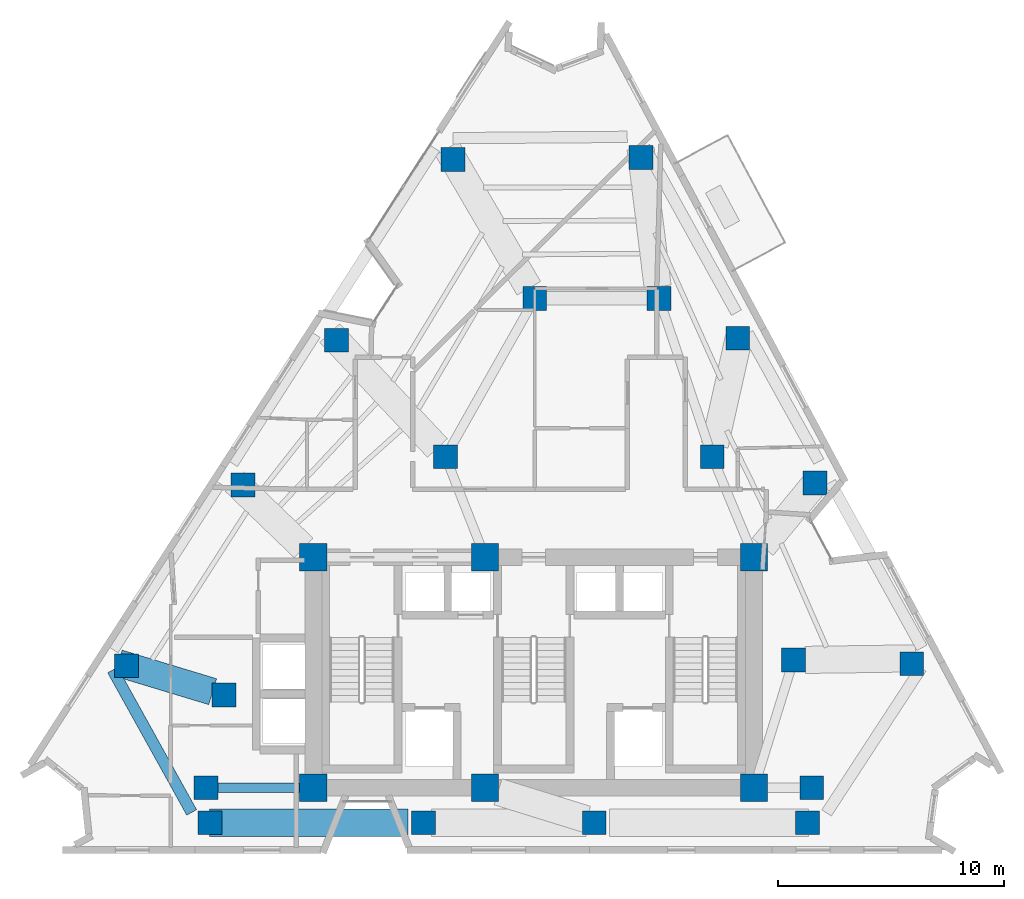
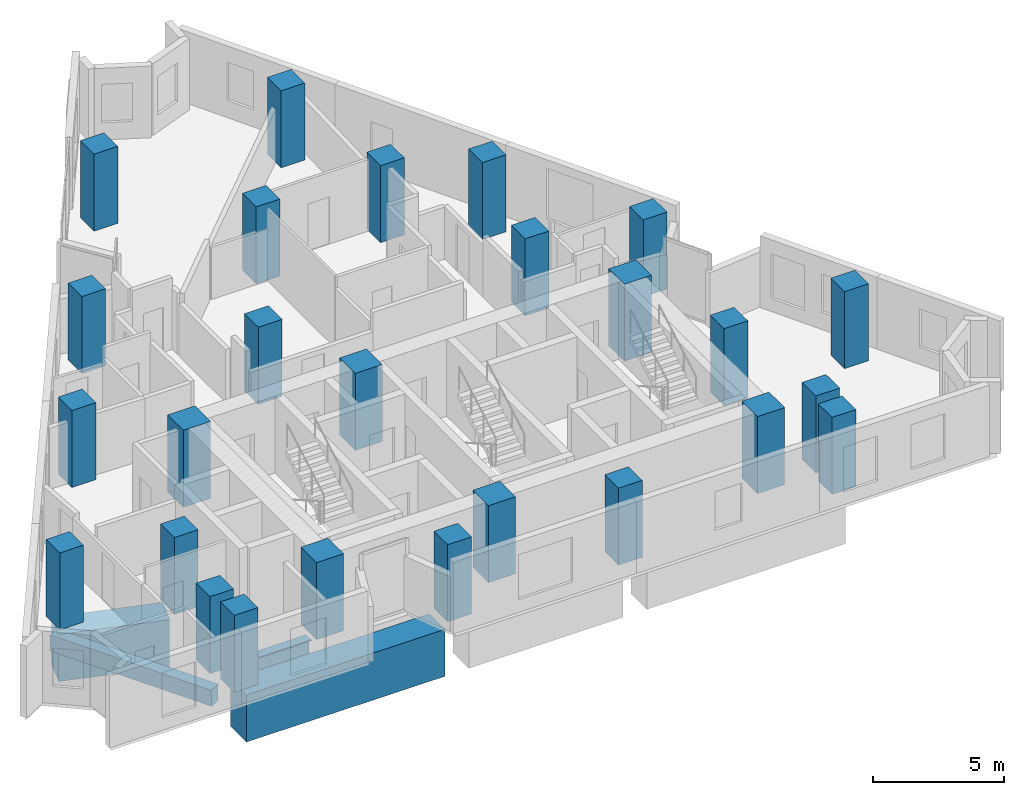
# One storey, part 1 of 11: 26 columns, 4 beams.
"""IFC4 building model written with IfcOpenShell, lengths in metres."""

from ifc_helpers import new_model, si_unit, direction, frame, origin, origin_2d, place, context, subcontext, project, spatial, rectangle, i_section, extrude, material, material_profile, profile_set, type_object, element, save


model = new_model("IFC4")

# Units and contexts
model_context = context("Model", 3, precision=1e-05, world=origin(), true_north=direction((0.0, 1.0)))
body_context = subcontext(model_context, "Body", "Model", "MODEL_VIEW")
ifc_project = project(units=[si_unit("LENGTHUNIT", "METRE"), si_unit("AREAUNIT", "SQUARE_METRE"), si_unit("VOLUMEUNIT", "CUBIC_METRE"), si_unit("PLANEANGLEUNIT", "RADIAN"), si_unit("MASSUNIT", "GRAM", prefix="KILO")], contexts=[model_context])

# Site, building, storey
site_placement = place(None, origin())
site = spatial("IfcSite", under=ifc_project, at=site_placement, CompositionType="ELEMENT")
building_placement = place(site_placement, origin())
building = spatial("IfcBuilding", under=site, at=building_placement, Name="Almagre Mirador Tower", CompositionType="ELEMENT")
storey_placement = place(building_placement, frame((0.0, 0.0, 175.199951171875)))
storey = spatial("IfcBuildingStorey", under=building, at=storey_placement, Name="L45", CompositionType="ELEMENT", Elevation=175.199951171875)

# Columns
ifc_material_1 = material(Name="Concrete C60/75", Category="concrete")
ifc_material_profile_1 = material_profile(ifc_material_1, rectangle(XDim=1.050048828125, YDim=1.050048828125, at=origin_2d()), Name="RC1050X1050")
ifc_profile_set_1 = profile_set([ifc_material_profile_1], Name="Concrete C60/75")
column_type_1 = type_object("IfcColumnType", Name="COL-RC1050", PredefinedType="COLUMN", material=ifc_profile_set_1)
for number, where, z_axis, x_axis, name in (
    (1, (22.800048828125, 4.550048828125, 0.0), (0.0, 0.0, 1.0), (1.0, 0.0, 0.0), "L45 interior transfer column MC1"),
    (2, (49.60009765625, 4.550048828125, 0.0), (0.0, 0.0, 1.0), (1.0, 0.0, 0.0), "L45 interior transfer column MC2"),
    (3, (48.800048828125, 10.199951171875, 0.0), (0.0, 0.0, 1.0), (1.0, 0.0, 0.0), "L45 interior transfer column MC3"),
    (4, (45.199951171875, 19.199951171875, 0.0), (0.0, 0.0, 1.0), (1.0, 0.0, 0.0), "L45 interior transfer column MC5"),
    (5, (42.85009765625, 26.199951171875, 0.0), (0.0, 0.0, 1.0), (1.0, 0.0, 0.0), "L45 interior transfer column MC6"),
    (6, (37.35009765625, 26.199951171875, 0.0), (0.0, 0.0, 1.0), (1.0, 0.0, 0.0), "L45 interior transfer column MC7"),
    (7, (33.39990234375, 19.199951171875, 0.0), (0.0, 0.0, 1.0), (1.0, 0.0, 0.0), "L45 interior transfer column MC8"),
    (8, (23.60009765625, 8.64990234375, 0.0), (0.0, 0.0, 1.0), (1.0, 0.0, 0.0), "L45 interior transfer column MC10"),
    (9, (22.98388671875, 3.0, 0.0), (0.0, 0.0, 1.0), (1.0, 0.0, 0.0), "L45 perimeter column PC01"),
    (10, (32.424072265625, 3.0, 0.0), (0.0, 0.0, 1.0), (1.0, 0.0, 0.0), "L45 perimeter column PC02"),
    (11, (39.97607421875, 3.0, 0.0), (0.0, 0.0, 1.0), (1.0, 0.0, 0.0), "L45 perimeter column PC03"),
    (12, (49.416015625, 3.0, 0.0), (0.0, 0.0, 1.0), (1.0, 0.0, 0.0), "L45 perimeter column PC04"),
    (13, (54.033935546875, 10.033935546875, 0.0), (0.0, 0.0, 1.0), (1.0, 0.0, 0.0), "L45 perimeter column PC05"),
    (14, (49.75390625, 18.033935546875, 0.0), (0.0, 0.0, 1.0), (1.0, 0.0, 0.0), "L45 perimeter column PC06"),
    (15, (46.330078125, 24.43408203125, 0.0), (0.0, 0.0, 1.0), (1.0, 0.0, 0.0), "L45 perimeter column PC07"),
    (16, (42.050048828125, 32.43408203125, 0.0), (0.0, 0.0, 1.0), (1.0, 0.0, 0.0), "L45 perimeter column PC08"),
    (17, (33.73193359375, 32.35009765625, 0.0), (0.0, 0.0, 1.0), (1.0, 0.0, 0.0), "L45 perimeter column PC09"),
    (18, (28.572021484375, 24.35009765625, 0.0), (0.0, 0.0, 1.0), (1.0, 0.0, 0.0), "L45 perimeter column PC10"),
    (19, (24.444091796875, 17.949951171875, 0.0), (0.0, 0.0, 1.0), (1.0, 0.0, 0.0), "L45 perimeter column PC11"),
    (20, (19.283935546875, 9.949951171875, 0.0), (0.0, 0.0, 1.0), (1.0, 0.0, 0.0), "L45 perimeter column PC12"),
):
    element("IfcColumn", number, at=place(storey_placement, frame(where, z_axis=z_axis, x_axis=x_axis)), inside=storey, type_object=column_type_1, Name=name, PredefinedType="COLUMN", context=body_context, shape_type="SweptSolid", body=[
        extrude(rectangle(XDim=1.050048828125, YDim=1.050048828125, at=origin_2d()), origin(), (0.0, 0.0, 1.0), 3.60009765625),
    ])
ifc_material_2 = material(Name="Concrete C60/75", Category="concrete")
ifc_material_profile_2 = material_profile(ifc_material_2, rectangle(XDim=1.199951171875, YDim=1.199951171875, at=origin_2d()), Name="RC1200X1200")
ifc_profile_set_2 = profile_set([ifc_material_profile_2], Name="Concrete C60/75")
column_type_2 = type_object("IfcColumnType", Name="COL-RC1200", PredefinedType="COLUMN", material=ifc_profile_set_2)
for number, where, z_axis, x_axis, name in (
    (21, (27.550048828125, 4.550048828125, 0.0), (0.0, 0.0, 1.0), (1.0, 0.0, 0.0), "L45 core spine column CC1"),
    (22, (35.14990234375, 4.550048828125, 0.0), (0.0, 0.0, 1.0), (1.0, 0.0, 0.0), "L45 core spine column CC2"),
    (23, (47.050048828125, 4.550048828125, 0.0), (0.0, 0.0, 1.0), (1.0, 0.0, 0.0), "L45 core spine column CC3"),
    (24, (27.550048828125, 14.75, 0.0), (0.0, 0.0, 1.0), (1.0, 0.0, 0.0), "L45 core spine column CC4"),
    (25, (35.14990234375, 14.75, 0.0), (0.0, 0.0, 1.0), (1.0, 0.0, 0.0), "L45 core spine column CC5"),
    (26, (47.050048828125, 14.75, 0.0), (0.0, 0.0, 1.0), (1.0, 0.0, 0.0), "L45 core spine column CC6"),
):
    element("IfcColumn", number, at=place(storey_placement, frame(where, z_axis=z_axis, x_axis=x_axis)), inside=storey, type_object=column_type_2, Name=name, PredefinedType="COLUMN", context=body_context, shape_type="SweptSolid", body=[
        extrude(rectangle(XDim=1.199951171875, YDim=1.199951171875, at=origin_2d()), origin(), (0.0, 0.0, 1.0), 3.60009765625),
    ])

# Beams
ifc_material_3 = material(Name="Precast concrete C50/60", Category="concrete")
ifc_material_profile_3 = material_profile(ifc_material_3, rectangle(XDim=0.5, YDim=0.75, at=origin_2d()), Name="RC500X750")
ifc_profile_set_3 = profile_set([ifc_material_profile_3], Name="Precast concrete C50/60")
beam_type_1 = type_object("IfcBeamType", Name="BM-SPN-RC500X750", PredefinedType="SPANDREL", material=ifc_profile_set_3)
beam_1_placement = place(storey_placement, frame((18.6728515625, 9.758056640625, -0.625), z_axis=(0.48530913158, -0.874342636959, 0.0), x_axis=(0.874342636959, 0.48530913158, 0.0)))
element("IfcBeam", 27, at=beam_1_placement, inside=storey, type_object=beam_type_1, Name="L45 perimeter spandrel beam PC12-PC01", PredefinedType="SPANDREL", context=body_context, shape_type="SweptSolid", body=[
    extrude(rectangle(XDim=0.5, YDim=0.75, at=origin_2d()), origin(), (0.0, 0.0, 1.0), 7.204345703125),
])
ifc_material_4 = material(Name="Steel ASTM A992 Grade 50", Category="steel")
ifc_material_profile_4 = material_profile(ifc_material_4, i_section(OverallWidth=0.404052734375, OverallDepth=0.884033203125, WebThickness=0.0244140625, FlangeThickness=0.0439453125, FilletRadius=0.02490234375, at=origin_2d()), Name="W33X291")
ifc_profile_set_4 = profile_set([ifc_material_profile_4], Name="Steel ASTM A992 Grade 50")
beam_type_2 = type_object("IfcBeamType", Name="BM-STL-W33X291", PredefinedType="BEAM", material=ifc_profile_set_4)
beam_2_placement = place(storey_placement, frame((23.324951171875, 4.550048828125, -0.69189453125), z_axis=(1.0, 0.0, 0.0), x_axis=(0.0, 1.0, 0.0)))
element("IfcBeam", 28, at=beam_2_placement, inside=storey, type_object=beam_type_2, Name="L45 core tie girder MC1-CC1", PredefinedType="BEAM", context=body_context, shape_type="SweptSolid", body=[
    extrude(i_section(OverallWidth=0.404052734375, OverallDepth=0.884033203125, WebThickness=0.0244140625, FlangeThickness=0.0439453125, FilletRadius=0.02490234375, at=origin_2d()), origin(), (0.0, 0.0, 1.0), 3.625),
])
ifc_material_5 = material(Name="Concrete C60/75", Category="concrete")
ifc_material_profile_5 = material_profile(ifc_material_5, rectangle(XDim=1.199951171875, YDim=2.199951171875, at=origin_2d()), Name="RC1200X2200")
ifc_profile_set_5 = profile_set([ifc_material_profile_5], Name="Concrete C60/75")
beam_type_3 = type_object("IfcBeamType", Name="BM-XFER-RC1200X2200", PredefinedType="BEAM", material=ifc_profile_set_5)
beam_3_placement = place(storey_placement, frame((22.948974609375, 3.0, -1.349853515625), z_axis=(1.0, 0.0, 0.0), x_axis=(0.0, 1.0, 0.0)))
element("IfcBeam", 29, at=beam_3_placement, inside=storey, type_object=beam_type_3, Name="L45 perimeter spandrel beam PC01-PC02", PredefinedType="BEAM", context=body_context, shape_type="SweptSolid", body=[
    extrude(rectangle(XDim=1.199951171875, YDim=2.199951171875, at=origin_2d()), origin(), (0.0, 0.0, 1.0), 8.7900390625),
])
beam_4_placement = place(storey_placement, frame((18.92041015625, 10.06494140625, -1.349853515625), z_axis=(0.957203497828, -0.289415728229, 0.0), x_axis=(0.289415728229, 0.957203497828, 0.0)))
element("IfcBeam", 30, at=beam_4_placement, inside=storey, type_object=beam_type_3, Name="L45 radial transfer girder PC12-MC10", PredefinedType="BEAM", context=body_context, shape_type="SweptSolid", body=[
    extrude(rectangle(XDim=1.199951171875, YDim=2.199951171875, at=origin_2d()), origin(), (0.0, 0.0, 1.0), 4.36376953125),
])

save(model, "model.ifc")
